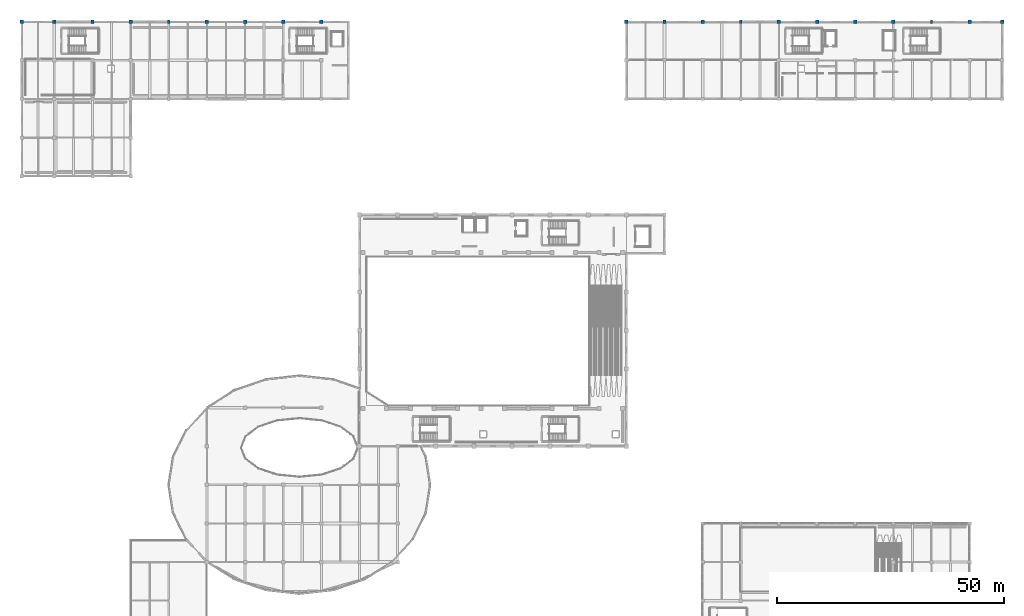
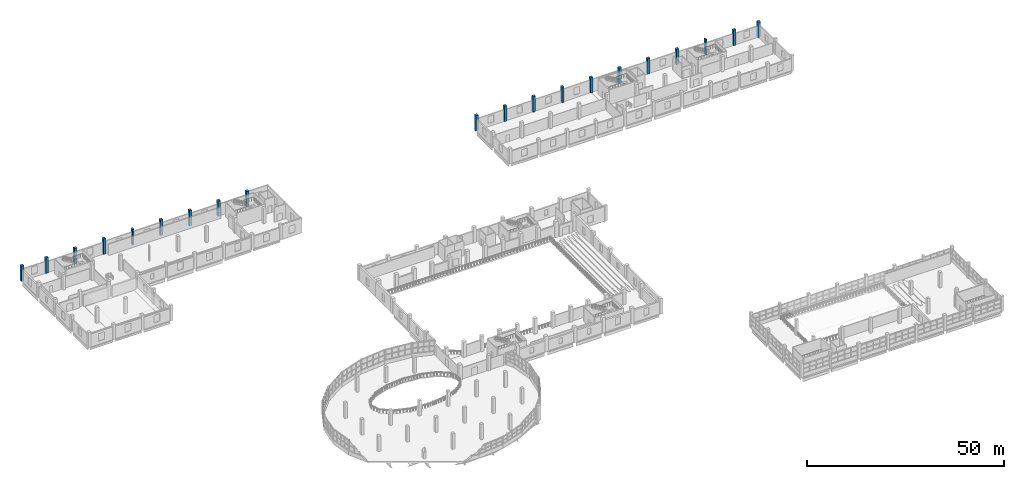
# One storey, part 4 of 77: 20 columns.
"""IFC4 building model written with IfcOpenShell, lengths in metres."""

from ifc_helpers import new_model, si_unit, direction, frame, origin, origin_2d, place, context, subcontext, project, spatial, rectangle, extrude, material, material_profile, profile_set, type_object, element, save


model = new_model("IFC4")

# Units and contexts
model_context = context("Model", 3, precision=1e-05, world=origin(), true_north=direction((0.0, 1.0)))
body_context = subcontext(model_context, "Body", "Model", "MODEL_VIEW")
ifc_project = project(units=[si_unit("LENGTHUNIT", "METRE"), si_unit("AREAUNIT", "SQUARE_METRE"), si_unit("VOLUMEUNIT", "CUBIC_METRE"), si_unit("PLANEANGLEUNIT", "RADIAN"), si_unit("MASSUNIT", "GRAM", prefix="KILO")], contexts=[model_context])

# Site, building, storey
site_placement = place(None, origin())
site = spatial("IfcSite", under=ifc_project, at=site_placement, CompositionType="ELEMENT")
building_placement = place(site_placement, origin())
building = spatial("IfcBuilding", under=site, at=building_placement, Name="Solvento Point Concert Hall", CompositionType="ELEMENT")
storey_placement = place(building_placement, frame((0.0, 0.0, 10.199951171875)))
storey = spatial("IfcBuildingStorey", under=building, at=storey_placement, Name="L02", CompositionType="ELEMENT", Elevation=10.199951171875)

# Columns
ifc_material_1 = material(Name="Concrete C40/50", Category="concrete")
ifc_material_profile_1 = material_profile(ifc_material_1, rectangle(XDim=0.75, YDim=0.75, at=origin_2d()), Name="RC-COL-750X750")
ifc_profile_set_1 = profile_set([ifc_material_profile_1], Name="Concrete C40/50")
column_type_1 = type_object("IfcColumnType", Name="Col_RC_750", PredefinedType="COLUMN", material=ifc_profile_set_1)
for number, where, z_axis, x_axis, name in (
    (1, (0.0, 136.0, 0.0), (0.0, 0.0, 1.0), (1.0, 0.0, 0.0), "Column C-29 01/S L02"),
    (2, (7.199951171875, 136.0, 0.0), (0.0, 0.0, 1.0), (1.0, 0.0, 0.0), "Column C-29 02/S L02"),
    (3, (15.60009765625, 136.0, 0.0), (0.0, 0.0, 1.0), (1.0, 0.0, 0.0), "Column C-29 03/S L02"),
    (4, (24.0, 136.0, 0.0), (0.0, 0.0, 1.0), (1.0, 0.0, 0.0), "Column C-29 04/S L02"),
    (5, (40.800048828125, 136.0, 0.0), (0.0, 0.0, 1.0), (1.0, 0.0, 0.0), "Column C-29 06/S L02"),
    (6, (49.199951171875, 136.0, 0.0), (0.0, 0.0, 1.0), (1.0, 0.0, 0.0), "Column C-29 07/S L02"),
    (7, (57.60009765625, 136.0, 0.0), (0.0, 0.0, 1.0), (1.0, 0.0, 0.0), "Column C-29 08/S L02"),
    (8, (66.0, 136.0, 0.0), (0.0, 0.0, 1.0), (1.0, 0.0, 0.0), "Column C-29 09/S L02"),
    (9, (133.199951171875, 136.0, 0.0), (0.0, 0.0, 1.0), (1.0, 0.0, 0.0), "Column C-29 17/S L02"),
    (10, (141.60009765625, 136.0, 0.0), (0.0, 0.0, 1.0), (1.0, 0.0, 0.0), "Column C-29 18/S L02"),
    (11, (150.0, 136.0, 0.0), (0.0, 0.0, 1.0), (1.0, 0.0, 0.0), "Column C-29 19/S L02"),
    (12, (166.800048828125, 136.0, 0.0), (0.0, 0.0, 1.0), (1.0, 0.0, 0.0), "Column C-29 21/S L02"),
    (13, (175.199951171875, 136.0, 0.0), (0.0, 0.0, 1.0), (1.0, 0.0, 0.0), "Column C-29 22/S L02"),
    (14, (183.60009765625, 136.0, 0.0), (0.0, 0.0, 1.0), (1.0, 0.0, 0.0), "Column C-29 23/S L02"),
    (15, (192.0, 136.0, 0.0), (0.0, 0.0, 1.0), (1.0, 0.0, 0.0), "Column C-29 24/S L02"),
    (16, (208.800048828125, 136.0, 0.0), (0.0, 0.0, 1.0), (1.0, 0.0, 0.0), "Column C-29 26/S L02"),
    (17, (216.0, 136.0, 0.0), (0.0, 0.0, 1.0), (1.0, 0.0, 0.0), "Column C-29 27/S L02"),
):
    element("IfcColumn", number, at=place(storey_placement, frame(where, z_axis=z_axis, x_axis=x_axis)), inside=storey, type_object=column_type_1, Name=name, PredefinedType="COLUMN", context=body_context, shape_type="SweptSolid", body=[
        extrude(rectangle(XDim=0.75, YDim=0.75, at=origin_2d()), origin(), (0.0, 0.0, 1.0), 4.800048828125),
    ])
ifc_material_2 = material(Name="Concrete C40/50", Category="concrete")
ifc_material_profile_2 = material_profile(ifc_material_2, rectangle(XDim=0.5, YDim=0.800048828125, at=origin_2d()), Name="RC-PIL-500X800")
ifc_profile_set_2 = profile_set([ifc_material_profile_2], Name="Concrete C40/50")
column_type_2 = type_object("IfcColumnType", Name="Pilaster_500x800", PredefinedType="PILASTER", material=ifc_profile_set_2)
for number, where, z_axis, x_axis, name in (
    (18, (32.39990234375, 136.0, 0.0), (0.0, 0.0, 1.0), (1.0, 0.0, 0.0), "Column C-70 05/S L02"),
    (19, (158.39990234375, 136.0, 0.0), (0.0, 0.0, 1.0), (1.0, 0.0, 0.0), "Column C-70 20/S L02"),
    (20, (200.39990234375, 136.0, 0.0), (0.0, 0.0, 1.0), (1.0, 0.0, 0.0), "Column C-70 25/S L02"),
):
    element("IfcColumn", number, at=place(storey_placement, frame(where, z_axis=z_axis, x_axis=x_axis)), inside=storey, type_object=column_type_2, Name=name, PredefinedType="PILASTER", context=body_context, shape_type="SweptSolid", body=[
        extrude(rectangle(XDim=0.5, YDim=0.800048828125, at=origin_2d()), origin(), (0.0, 0.0, 1.0), 4.800048828125),
    ])

save(model, "model.ifc")
